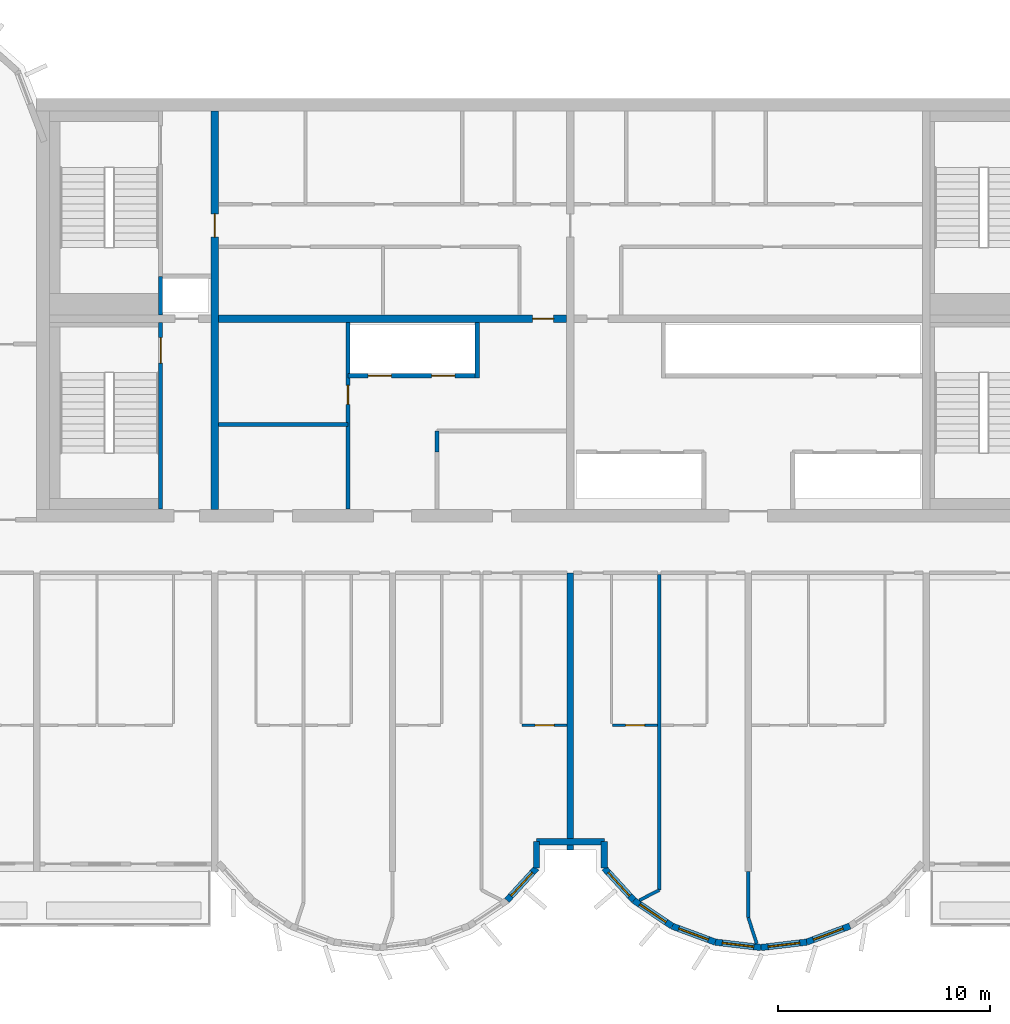
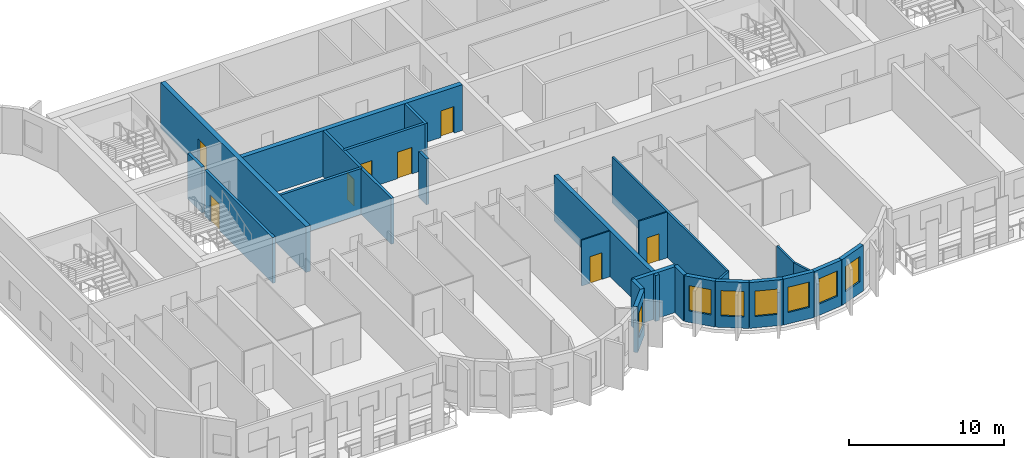
# One storey, part 4 of 11: 26 walls, 8 doors, 7 windows, 15 openings.
"""IFC4 building model written with IfcOpenShell, lengths in metres."""

from ifc_helpers import new_model, si_unit, direction, frame, frame_2d, origin, place, context, subcontext, project, spatial, rectangle, extrude, source, transform, mapped, material, layer, layer_set, type_object, element, fill, save


model = new_model("IFC4")

# Units and contexts
model_context = context("Model", 3, precision=1e-05, world=origin(), true_north=direction((0.0, 1.0)))
body_context = subcontext(model_context, "Body", "Model", "MODEL_VIEW")
ifc_project = project(units=[si_unit("LENGTHUNIT", "METRE"), si_unit("AREAUNIT", "SQUARE_METRE"), si_unit("VOLUMEUNIT", "CUBIC_METRE"), si_unit("PLANEANGLEUNIT", "RADIAN"), si_unit("MASSUNIT", "GRAM", prefix="KILO")], contexts=[model_context])

# Site, building, storey
site_placement = place(None, origin())
site = spatial("IfcSite", under=ifc_project, at=site_placement, CompositionType="ELEMENT")
building_placement = place(site_placement, origin())
building = spatial("IfcBuilding", under=site, at=building_placement, Name="Vanashikhar Sky Hotel", CompositionType="ELEMENT")
storey_placement = place(building_placement, frame((0.0, 0.0, 233.5)))
storey = spatial("IfcBuildingStorey", under=building, at=storey_placement, Name="L56", CompositionType="ELEMENT", Elevation=233.5)

# Wall, opening, door
ifc_material_1 = material(Name="Concrete M60", Category="concrete")
ifc_layer_1 = layer(ifc_material_1, 0.35009765625)
ifc_layer_set_1 = layer_set([ifc_layer_1], Name="RC core inner wall 350 Concrete M60")
wall_type_1 = type_object("IfcWallType", Name="RC core inner wall 350 Concrete M60", PredefinedType="SHEAR", material=ifc_layer_set_1)
shared_shape_1 = source(origin(), body_context, "Body", "SweptSolid", [
    extrude(rectangle(XDim=18.7998046875, YDim=0.35009765625, at=frame_2d((9.39990234375, 0.0))), origin(), (0.0, 0.0, 1.0), 3.6201171875),
])
wall_1_placement = place(storey_placement, frame((33.60009765625, 22.60009765625, 0.0), z_axis=(0.0, 0.0, 1.0), x_axis=(0.0, 1.0, 0.0)))
wall_1 = element("IfcWall", 1, at=wall_1_placement, inside=storey, type_object=wall_type_1, Name="KW-L56-KX1", PredefinedType="SHEAR", context=body_context, shape_type="MappedRepresentation", body=[
    mapped(shared_shape_1, transform((0.0, 0.0, 0.0), scale=1.0)),
])
shared_shape_2 = source(origin(), body_context, "Body", "SweptSolid", [
    extrude(rectangle(XDim=1.10009765625, YDim=2.10009765625, at=frame_2d((0.550048828125, 1.050048828125))), frame((0.0, 0.18505859375, 0.0), z_axis=(0.0, -1.0, 0.0), x_axis=(1.0, 0.0, 0.0)), (0.0, 0.0, 1.0), 0.3701171875),
])
opening_1_placement = place(wall_1_placement, frame((12.85009765625, 0.0, 0.0)))
opening_1 = element("IfcOpeningElement", 2, at=opening_1_placement, cuts=wall_1, Name="Opening DC-4-C", PredefinedType="OPENING", context=body_context, shape_type="MappedRepresentation", body=[
    mapped(shared_shape_2, transform((0.0, 0.0, 0.0), scale=1.0)),
])
ifc_material_2 = material(Name="Steel", Category="steel")
door_type_1 = type_object("IfcDoorType", Name="Service door 1100 FD60", OperationType="NOTDEFINED", PredefinedType="DOOR", material=ifc_material_2)
shared_shape_3 = source(origin(), body_context, "Body", "SweptSolid", [
    extrude(rectangle(XDim=1.10009765625, YDim=2.10009765625, at=frame_2d((0.550048828125, 1.050048828125))), frame((0.0, 0.02490234375, 0.0), z_axis=(0.0, -1.0, 0.0), x_axis=(1.0, 0.0, 0.0)), (0.0, 0.0, 1.0), 0.050048828125),
])
door_1_placement = place(opening_1_placement, origin())
door_1 = element("IfcDoor", 3, at=door_1_placement, inside=storey, type_object=door_type_1, Name="Service door 1100 FD60", OperationType="SINGLE_SWING_RIGHT", OverallHeight=2.10009765625, OverallWidth=1.10009765625, PredefinedType="DOOR", context=body_context, shape_type="MappedRepresentation", body=[
    mapped(shared_shape_3, transform((0.0, 0.0, 0.0), scale=1.0)),
])
fill(opening_1, door_1)

shared_shape_4 = source(origin(), body_context, "Body", "SweptSolid", [
    extrude(rectangle(XDim=16.4501953125, YDim=0.35009765625, at=frame_2d((8.22509765625, 0.0))), origin(), (0.0, 0.0, 1.0), 3.6201171875),
])
wall_2_placement = place(storey_placement, frame((33.77490234375, 31.60009765625, 0.0), z_axis=(0.0, 0.0, 1.0), x_axis=(1.0, 0.0, 0.0)))
wall_2 = element("IfcWall", 4, at=wall_2_placement, inside=storey, type_object=wall_type_1, Name="KW-L56-KY2", PredefinedType="SHEAR", context=body_context, shape_type="MappedRepresentation", body=[
    mapped(shared_shape_4, transform((0.0, 0.0, 0.0), scale=1.0)),
])
shared_shape_5 = source(origin(), body_context, "Body", "SweptSolid", [
    extrude(rectangle(XDim=1.0, YDim=2.10009765625, at=frame_2d((0.5, 1.050048828125))), frame((0.0, 0.18505859375, 0.0), z_axis=(0.0, -1.0, 0.0), x_axis=(1.0, 0.0, 0.0)), (0.0, 0.0, 1.0), 0.3701171875),
])
opening_2_placement = place(wall_2_placement, frame((14.8369140625, 0.0, 0.0)))
opening_2 = element("IfcOpeningElement", 5, at=opening_2_placement, cuts=wall_2, Name="Opening DC-4", PredefinedType="OPENING", context=body_context, shape_type="MappedRepresentation", body=[
    mapped(shared_shape_5, transform((0.0, 0.0, 0.0), scale=1.0)),
])
door_type_2 = type_object("IfcDoorType", Name="Service door 1000 FD60", OperationType="NOTDEFINED", PredefinedType="DOOR", material=ifc_material_2)
shared_shape_6 = source(origin(), body_context, "Body", "SweptSolid", [
    extrude(rectangle(XDim=1.0, YDim=2.10009765625, at=frame_2d((0.5, 1.050048828125))), frame((0.0, 0.02490234375, 0.0), z_axis=(0.0, -1.0, 0.0), x_axis=(1.0, 0.0, 0.0)), (0.0, 0.0, 1.0), 0.050048828125),
])
door_2_placement = place(opening_2_placement, origin())
door_2 = element("IfcDoor", 6, at=door_2_placement, inside=storey, type_object=door_type_2, Name="Service door 1000 FD60", OperationType="SINGLE_SWING_LEFT", OverallHeight=2.10009765625, OverallWidth=1.0, PredefinedType="DOOR", context=body_context, shape_type="MappedRepresentation", body=[
    mapped(shared_shape_6, transform((0.0, 0.0, 0.0), scale=1.0)),
])
fill(opening_2, door_2)

# Wall
ifc_layer_2 = layer(ifc_material_1, 0.300048828125)
ifc_layer_set_2 = layer_set([ifc_layer_2], Name="RC shear wall 300 Concrete M60")
wall_type_2 = type_object("IfcWallType", Name="RC shear wall 300 Concrete M60", PredefinedType="SHEAR", material=ifc_layer_set_2)
shared_shape_7 = source(origin(), body_context, "Body", "SweptSolid", [
    extrude(rectangle(XDim=13.10009765625, YDim=0.300048828125, at=frame_2d((6.550048828125, 0.0))), origin(), (0.0, 0.0, 1.0), 3.6201171875),
])
wall_3_placement = place(storey_placement, frame((50.39990234375, 6.5, 0.0), z_axis=(0.0, 0.0, 1.0), x_axis=(0.0, 1.0, 0.0)))
element("IfcWall", 7, at=wall_3_placement, inside=storey, type_object=wall_type_2, Name="CW-L56-XW07-1", PredefinedType="SHEAR", context=body_context, shape_type="MappedRepresentation", body=[
    mapped(shared_shape_7, transform((0.0, 0.0, 0.0), scale=1.0)),
])

# Wall, opening, window
ifc_material_3 = material(Name="Concrete M50", Category="concrete")
ifc_layer_3 = layer(ifc_material_3, 0.300048828125)
ifc_layer_set_3 = layer_set([ifc_layer_3], Name="Lobe wall 300")
wall_type_3 = type_object("IfcWallType", Name="Lobe wall 300", PredefinedType="SOLIDWALL", material=ifc_layer_set_3)
shared_shape_8 = source(origin(), body_context, "Body", "SweptSolid", [
    extrude(rectangle(XDim=2.17578125, YDim=0.300048828125, at=frame_2d((1.087890625, 0.0))), origin(), (0.0, 0.0, 1.0), 3.6201171875),
])
wall_4_placement = place(storey_placement, frame((53.395751953125, 4.13134765625, 0.0), z_axis=(0.0, 0.0, 1.0), x_axis=(0.829590746428, -0.558371913192, 0.0)))
wall_4 = element("IfcWall", 8, at=wall_4_placement, inside=storey, type_object=wall_type_3, Name="Lobe wall", PredefinedType="SOLIDWALL", context=body_context, shape_type="MappedRepresentation", body=[
    mapped(shared_shape_8, transform((0.0, 0.0, 0.0), scale=1.0)),
])
shared_shape_9 = source(origin(), body_context, "Body", "SweptSolid", [
    extrude(rectangle(XDim=1.5, YDim=2.0, at=frame_2d((0.75, 1.0))), frame((0.0, 0.16015625, 0.0), z_axis=(0.0, -1.0, 0.0), x_axis=(1.0, 0.0, 0.0)), (0.0, 0.0, 1.0), 0.320068359375),
])
opening_3_placement = place(wall_4_placement, frame((0.337890625, 0.0, 0.89990234375)))
opening_3 = element("IfcOpeningElement", 9, at=opening_3_placement, cuts=wall_4, Name="Opening WN-2", PredefinedType="OPENING", context=body_context, shape_type="MappedRepresentation", body=[
    mapped(shared_shape_9, transform((0.0, 0.0, 0.0), scale=1.0)),
])
ifc_material_4 = material(Name="Glass", Category="glass")
window_type = type_object("IfcWindowType", Name="Lobe window 1500 x 2000", PartitioningType="SINGLE_PANEL", PredefinedType="WINDOW", material=ifc_material_4)
shared_shape_10 = source(origin(), body_context, "Body", "SweptSolid", [
    extrude(rectangle(XDim=1.5, YDim=2.0, at=frame_2d((0.75, 1.0))), frame((0.0, 0.030029296875, 0.0), z_axis=(0.0, -1.0, 0.0), x_axis=(1.0, 0.0, 0.0)), (0.0, 0.0, 1.0), 0.06005859375),
])
window_1_placement = place(opening_3_placement, origin())
window_1 = element("IfcWindow", 10, at=window_1_placement, inside=storey, type_object=window_type, Name="Window WN-2", OverallHeight=2.0, OverallWidth=1.5, PartitioningType="SINGLE_PANEL", PredefinedType="WINDOW", context=body_context, shape_type="MappedRepresentation", body=[
    mapped(shared_shape_10, transform((0.0, 0.0, 0.0), scale=1.0)),
])
fill(opening_3, window_1)

wall_5_placement = place(storey_placement, frame((55.20068359375, 2.91650390625, 0.0), z_axis=(0.0, 0.0, 1.0), x_axis=(0.93754555999, -0.347862505801, 0.0)))
wall_5 = element("IfcWall", 11, at=wall_5_placement, inside=storey, type_object=wall_type_3, Name="Lobe wall", PredefinedType="SOLIDWALL", context=body_context, shape_type="MappedRepresentation", body=[
    mapped(shared_shape_8, transform((0.0, 0.0, 0.0), scale=1.0)),
])
opening_4_placement = place(wall_5_placement, frame((0.337890625, 0.0, 0.89990234375)))
opening_4 = element("IfcOpeningElement", 12, at=opening_4_placement, cuts=wall_5, Name="Opening WN-2", PredefinedType="OPENING", context=body_context, shape_type="MappedRepresentation", body=[
    mapped(shared_shape_9, transform((0.0, 0.0, 0.0), scale=1.0)),
])
window_2_placement = place(opening_4_placement, origin())
window_2 = element("IfcWindow", 13, at=window_2_placement, inside=storey, type_object=window_type, Name="Window WN-2", OverallHeight=2.0, OverallWidth=1.5, PartitioningType="SINGLE_PANEL", PredefinedType="WINDOW", context=body_context, shape_type="MappedRepresentation", body=[
    mapped(shared_shape_10, transform((0.0, 0.0, 0.0), scale=1.0)),
])
fill(opening_4, window_2)

shared_shape_11 = source(origin(), body_context, "Body", "SweptSolid", [
    extrude(rectangle(XDim=2.174560546875, YDim=0.300048828125, at=frame_2d((1.08740234375, 0.0))), origin(), (0.0, 0.0, 1.0), 3.6201171875),
])
wall_6_placement = place(storey_placement, frame((57.240478515625, 2.15966796875, 0.0), z_axis=(0.0, 0.0, 1.0), x_axis=(0.993001132889, -0.118104826659, 0.0)))
wall_6 = element("IfcWall", 14, at=wall_6_placement, inside=storey, type_object=wall_type_3, Name="Lobe wall", PredefinedType="SOLIDWALL", context=body_context, shape_type="MappedRepresentation", body=[
    mapped(shared_shape_11, transform((0.0, 0.0, 0.0), scale=1.0)),
])
opening_5_placement = place(wall_6_placement, frame((0.33740234375, 0.0, 0.89990234375)))
opening_5 = element("IfcOpeningElement", 15, at=opening_5_placement, cuts=wall_6, Name="Opening WN-2", PredefinedType="OPENING", context=body_context, shape_type="MappedRepresentation", body=[
    mapped(shared_shape_9, transform((0.0, 0.0, 0.0), scale=1.0)),
])
window_3_placement = place(opening_5_placement, origin())
window_3 = element("IfcWindow", 16, at=window_3_placement, inside=storey, type_object=window_type, Name="Window WN-2", OverallHeight=2.0, OverallWidth=1.5, PartitioningType="SINGLE_PANEL", PredefinedType="WINDOW", context=body_context, shape_type="MappedRepresentation", body=[
    mapped(shared_shape_10, transform((0.0, 0.0, 0.0), scale=1.0)),
])
fill(opening_5, window_3)

shared_shape_12 = source(origin(), body_context, "Body", "SweptSolid", [
    extrude(rectangle(XDim=2.1748046875, YDim=0.300048828125, at=frame_2d((1.08740234375, 0.0))), origin(), (0.0, 0.0, 1.0), 3.6201171875),
])
wall_7_placement = place(storey_placement, frame((59.39990234375, 1.90283203125, 0.0), z_axis=(0.0, 0.0, 1.0), x_axis=(0.993002698611, 0.118091661648, 0.0)))
wall_7 = element("IfcWall", 17, at=wall_7_placement, inside=storey, type_object=wall_type_3, Name="Lobe wall", PredefinedType="SOLIDWALL", context=body_context, shape_type="MappedRepresentation", body=[
    mapped(shared_shape_12, transform((0.0, 0.0, 0.0), scale=1.0)),
])
opening_6_placement = place(wall_7_placement, frame((0.33740234375, 0.0, 0.89990234375)))
opening_6 = element("IfcOpeningElement", 18, at=opening_6_placement, cuts=wall_7, Name="Opening WN-2", PredefinedType="OPENING", context=body_context, shape_type="MappedRepresentation", body=[
    mapped(shared_shape_9, transform((0.0, 0.0, 0.0), scale=1.0)),
])
window_4_placement = place(opening_6_placement, origin())
window_4 = element("IfcWindow", 19, at=window_4_placement, inside=storey, type_object=window_type, Name="Window WN-2", OverallHeight=2.0, OverallWidth=1.5, PartitioningType="SINGLE_PANEL", PredefinedType="WINDOW", context=body_context, shape_type="MappedRepresentation", body=[
    mapped(shared_shape_10, transform((0.0, 0.0, 0.0), scale=1.0)),
])
fill(opening_6, window_4)

shared_shape_13 = source(origin(), body_context, "Body", "SweptSolid", [
    extrude(rectangle(XDim=2.175537109375, YDim=0.300048828125, at=frame_2d((1.087890625, 0.0))), origin(), (0.0, 0.0, 1.0), 3.6201171875),
])
wall_8_placement = place(storey_placement, frame((61.5595703125, 2.15966796875, 0.0), z_axis=(0.0, 0.0, 1.0), x_axis=(0.937531979054, 0.347899106424, 0.0)))
wall_8 = element("IfcWall", 20, at=wall_8_placement, inside=storey, type_object=wall_type_3, Name="Lobe wall", PredefinedType="SOLIDWALL", context=body_context, shape_type="MappedRepresentation", body=[
    mapped(shared_shape_13, transform((0.0, 0.0, 0.0), scale=1.0)),
])
opening_7_placement = place(wall_8_placement, frame((0.337890625, 0.0, 0.89990234375)))
opening_7 = element("IfcOpeningElement", 21, at=opening_7_placement, cuts=wall_8, Name="Opening WN-2", PredefinedType="OPENING", context=body_context, shape_type="MappedRepresentation", body=[
    mapped(shared_shape_9, transform((0.0, 0.0, 0.0), scale=1.0)),
])
window_5_placement = place(opening_7_placement, origin())
window_5 = element("IfcWindow", 22, at=window_5_placement, inside=storey, type_object=window_type, Name="Window WN-2", OverallHeight=2.0, OverallWidth=1.5, PartitioningType="SINGLE_PANEL", PredefinedType="WINDOW", context=body_context, shape_type="MappedRepresentation", body=[
    mapped(shared_shape_10, transform((0.0, 0.0, 0.0), scale=1.0)),
])
fill(opening_7, window_5)

shared_shape_14 = source(origin(), body_context, "Body", "SweptSolid", [
    extrude(rectangle(XDim=2.066650390625, YDim=0.300048828125, at=frame_2d((1.033203125, 0.0))), origin(), (0.0, 0.0, 1.0), 3.6201171875),
])
wall_9_placement = place(storey_placement, frame((47.404296875, 4.13134765625, 0.0), z_axis=(0.0, 0.0, 1.0), x_axis=(0.675355439877, 0.737492393065, 0.0)))
wall_9 = element("IfcWall", 23, at=wall_9_placement, inside=storey, type_object=wall_type_3, Name="Lobe wall", PredefinedType="SOLIDWALL", context=body_context, shape_type="MappedRepresentation", body=[
    mapped(shared_shape_14, transform((0.0, 0.0, 0.0), scale=1.0)),
])
opening_8_placement = place(wall_9_placement, frame((0.283447265625, 0.0, 0.89990234375)))
opening_8 = element("IfcOpeningElement", 24, at=opening_8_placement, cuts=wall_9, Name="Opening WN-2", PredefinedType="OPENING", context=body_context, shape_type="MappedRepresentation", body=[
    mapped(shared_shape_9, transform((0.0, 0.0, 0.0), scale=1.0)),
])
window_6_placement = place(opening_8_placement, origin())
window_6 = element("IfcWindow", 25, at=window_6_placement, inside=storey, type_object=window_type, Name="Window WN-2", OverallHeight=2.0, OverallWidth=1.5, PartitioningType="SINGLE_PANEL", PredefinedType="WINDOW", context=body_context, shape_type="MappedRepresentation", body=[
    mapped(shared_shape_10, transform((0.0, 0.0, 0.0), scale=1.0)),
])
fill(opening_8, window_6)

wall_10_placement = place(storey_placement, frame((52.0, 5.655517578125, 0.0), z_axis=(0.0, 0.0, 1.0), x_axis=(0.675355439877, -0.737492393065, 0.0)))
wall_10 = element("IfcWall", 26, at=wall_10_placement, inside=storey, type_object=wall_type_3, Name="Lobe wall", PredefinedType="SOLIDWALL", context=body_context, shape_type="MappedRepresentation", body=[
    mapped(shared_shape_14, transform((0.0, 0.0, 0.0), scale=1.0)),
])
opening_9_placement = place(wall_10_placement, frame((0.283447265625, 0.0, 0.89990234375)))
opening_9 = element("IfcOpeningElement", 27, at=opening_9_placement, cuts=wall_10, Name="Opening WN-2", PredefinedType="OPENING", context=body_context, shape_type="MappedRepresentation", body=[
    mapped(shared_shape_9, transform((0.0, 0.0, 0.0), scale=1.0)),
])
window_7_placement = place(opening_9_placement, origin())
window_7 = element("IfcWindow", 28, at=window_7_placement, inside=storey, type_object=window_type, Name="Window WN-2", OverallHeight=2.0, OverallWidth=1.5, PartitioningType="SINGLE_PANEL", PredefinedType="WINDOW", context=body_context, shape_type="MappedRepresentation", body=[
    mapped(shared_shape_10, transform((0.0, 0.0, 0.0), scale=1.0)),
])
fill(opening_9, window_7)

# Walls
shared_shape_15 = source(origin(), body_context, "Body", "SweptSolid", [
    extrude(rectangle(XDim=1.244384765625, YDim=0.300048828125, at=frame_2d((0.6220703125, 0.0))), origin(), (0.0, 0.0, 1.0), 3.6201171875),
])
for number, where, z_axis, x_axis, name in (
    (29, (48.800048828125, 5.655517578125, 0.0), (0.0, 0.0, 1.0), (0.0, 1.0, 0.0), "Groove wall"),
    (30, (52.0, 6.89990234375, 0.0), (0.0, 0.0, 1.0), (0.0, -1.0, 0.0), "Groove wall"),
):
    element("IfcWall", number, at=place(storey_placement, frame(where, z_axis=z_axis, x_axis=x_axis)), inside=storey, type_object=wall_type_3, Name=name, PredefinedType="SOLIDWALL", context=body_context, shape_type="MappedRepresentation", body=[
        mapped(shared_shape_15, transform((0.0, 0.0, 0.0), scale=1.0)),
    ])
shared_shape_16 = source(origin(), body_context, "Body", "SweptSolid", [
    extrude(rectangle(XDim=3.199951171875, YDim=0.300048828125, at=frame_2d((1.60009765625, 0.0))), origin(), (0.0, 0.0, 1.0), 3.6201171875),
])
wall_11_placement = place(storey_placement, frame((48.800048828125, 6.89990234375, 0.0), z_axis=(0.0, 0.0, 1.0), x_axis=(1.0, 0.0, 0.0)))
element("IfcWall", 31, at=wall_11_placement, inside=storey, type_object=wall_type_3, Name="Groove wall", PredefinedType="SOLIDWALL", context=body_context, shape_type="MappedRepresentation", body=[
    mapped(shared_shape_16, transform((0.0, 0.0, 0.0), scale=1.0)),
])

# Wall, openings, doors
ifc_material_5 = material(Name="Concrete M40", Category="concrete")
ifc_layer_4 = layer(ifc_material_5, 0.199951171875)
ifc_layer_set_4 = layer_set([ifc_layer_4], Name="Shaft wall 200")
wall_type_4 = type_object("IfcWallType", Name="Shaft wall 200", PredefinedType="SOLIDWALL", material=ifc_layer_set_4)
shared_shape_17 = source(origin(), body_context, "Body", "SweptSolid", [
    extrude(rectangle(XDim=6.0, YDim=0.199951171875, at=frame_2d((3.0, 0.0))), origin(), (0.0, 0.0, 1.0), 3.6201171875),
])
wall_12_placement = place(storey_placement, frame((39.89990234375, 28.89990234375, 0.0), z_axis=(0.0, 0.0, 1.0), x_axis=(1.0, 0.0, 0.0)))
wall_12 = element("IfcWall", 32, at=wall_12_placement, inside=storey, type_object=wall_type_4, Name="Shaft wall 200", PredefinedType="SOLIDWALL", context=body_context, shape_type="MappedRepresentation", body=[
    mapped(shared_shape_17, transform((0.0, 0.0, 0.0), scale=1.0)),
])
shared_shape_18 = source(origin(), body_context, "Body", "SweptSolid", [
    extrude(rectangle(XDim=1.10009765625, YDim=2.10009765625, at=frame_2d((0.550048828125, 1.050048828125))), frame((0.0, 0.10986328125, 0.0), z_axis=(0.0, -1.0, 0.0), x_axis=(1.0, 0.0, 0.0)), (0.0, 0.0, 1.0), 0.219970703125),
])
opening_10_placement = place(wall_12_placement, frame((0.949951171875, 0.0, 0.0)))
opening_10 = element("IfcOpeningElement", 33, at=opening_10_placement, cuts=wall_12, Name="Opening LD", PredefinedType="OPENING", context=body_context, shape_type="MappedRepresentation", body=[
    mapped(shared_shape_18, transform((0.0, 0.0, 0.0), scale=1.0)),
])
opening_11_placement = place(wall_12_placement, frame((3.949951171875, 0.0, 0.0)))
opening_11 = element("IfcOpeningElement", 34, at=opening_11_placement, cuts=wall_12, Name="Opening LD", PredefinedType="OPENING", context=body_context, shape_type="MappedRepresentation", body=[
    mapped(shared_shape_18, transform((0.0, 0.0, 0.0), scale=1.0)),
])
ifc_material_6 = material(Name="Stainless steel", Category="steel")
door_type_3 = type_object("IfcDoorType", Name="Lift landing door 1100", OperationType="NOTDEFINED", PredefinedType="DOOR", material=ifc_material_6)
door_3_placement = place(opening_10_placement, origin())
door_3 = element("IfcDoor", 35, at=door_3_placement, inside=storey, type_object=door_type_3, Name="Lift landing door 1100", OperationType="SLIDING_TO_LEFT", OverallHeight=2.10009765625, OverallWidth=1.10009765625, PredefinedType="DOOR", context=body_context, shape_type="MappedRepresentation", body=[
    mapped(shared_shape_3, transform((0.0, 0.0, 0.0), scale=1.0)),
])
fill(opening_10, door_3)
door_4_placement = place(opening_11_placement, origin())
door_4 = element("IfcDoor", 36, at=door_4_placement, inside=storey, type_object=door_type_3, Name="Lift landing door 1100", OperationType="SLIDING_TO_RIGHT", OverallHeight=2.10009765625, OverallWidth=1.10009765625, PredefinedType="DOOR", context=body_context, shape_type="MappedRepresentation", body=[
    mapped(shared_shape_3, transform((0.0, 0.0, 0.0), scale=1.0)),
])
fill(opening_11, door_4)

# Wall, opening, door
ifc_material_7 = material(Name="Gypsum board partition")
ifc_layer_5 = layer(ifc_material_7, 0.14990234375)
ifc_layer_set_5 = layer_set([ifc_layer_5], Name="Service partition 150")
wall_type_5 = type_object("IfcWallType", Name="Service partition 150", PredefinedType="PARTITIONING", material=ifc_layer_set_5)
shared_shape_19 = source(origin(), body_context, "Body", "SweptSolid", [
    extrude(rectangle(XDim=8.824951171875, YDim=0.199951171875, at=frame_2d((4.41259765625, 0.0))), origin(), (0.0, 0.0, 1.0), 3.6201171875),
])
wall_13_placement = place(storey_placement, frame((39.89990234375, 22.60009765625, 0.0), z_axis=(0.0, 0.0, 1.0), x_axis=(0.0, 1.0, 0.0)))
wall_13 = element("IfcWall", 37, at=wall_13_placement, inside=storey, type_object=wall_type_5, Name="Service partition 150", PredefinedType="PARTITIONING", context=body_context, shape_type="MappedRepresentation", body=[
    mapped(shared_shape_19, transform((0.0, 0.0, 0.0), scale=1.0)),
])
shared_shape_20 = source(origin(), body_context, "Body", "SweptSolid", [
    extrude(rectangle(XDim=0.89990234375, YDim=2.10009765625, at=frame_2d((0.449951171875, 1.050048828125))), frame((0.0, 0.10986328125, 0.0), z_axis=(0.0, -1.0, 0.0), x_axis=(1.0, 0.0, 0.0)), (0.0, 0.0, 1.0), 0.219970703125),
])
opening_12_placement = place(wall_13_placement, frame((4.949951171875, 0.0, 0.0)))
opening_12 = element("IfcOpeningElement", 38, at=opening_12_placement, cuts=wall_13, Name="Opening DC-4-A", PredefinedType="OPENING", context=body_context, shape_type="MappedRepresentation", body=[
    mapped(shared_shape_20, transform((0.0, 0.0, 0.0), scale=1.0)),
])
door_type_4 = type_object("IfcDoorType", Name="Service door 900 FD60", OperationType="NOTDEFINED", PredefinedType="DOOR", material=ifc_material_2)
shared_shape_21 = source(origin(), body_context, "Body", "SweptSolid", [
    extrude(rectangle(XDim=0.89990234375, YDim=2.10009765625, at=frame_2d((0.449951171875, 1.050048828125))), frame((0.0, 0.02490234375, 0.0), z_axis=(0.0, -1.0, 0.0), x_axis=(1.0, 0.0, 0.0)), (0.0, 0.0, 1.0), 0.050048828125),
])
door_5_placement = place(opening_12_placement, origin())
door_5 = element("IfcDoor", 39, at=door_5_placement, inside=storey, type_object=door_type_4, Name="Service door 900 FD60", OperationType="SINGLE_SWING_LEFT", OverallHeight=2.10009765625, OverallWidth=0.89990234375, PredefinedType="DOOR", context=body_context, shape_type="MappedRepresentation", body=[
    mapped(shared_shape_21, transform((0.0, 0.0, 0.0), scale=1.0)),
])
fill(opening_12, door_5)

# Walls
shared_shape_22 = source(origin(), body_context, "Body", "SweptSolid", [
    extrude(rectangle(XDim=2.625, YDim=0.199951171875, at=frame_2d((1.3125, 0.0))), origin(), (0.0, 0.0, 1.0), 3.6201171875),
])
wall_14_placement = place(storey_placement, frame((46.0, 28.800048828125, 0.0), z_axis=(0.0, 0.0, 1.0), x_axis=(0.0, 1.0, 0.0)))
element("IfcWall", 40, at=wall_14_placement, inside=storey, type_object=wall_type_4, Name="Shaft wall 200", PredefinedType="SOLIDWALL", context=body_context, shape_type="MappedRepresentation", body=[
    mapped(shared_shape_22, transform((0.0, 0.0, 0.0), scale=1.0)),
])
shared_shape_23 = source(origin(), body_context, "Body", "SweptSolid", [
    extrude(rectangle(XDim=6.125, YDim=0.199951171875, at=frame_2d((3.0625, 0.0))), origin(), (0.0, 0.0, 1.0), 3.6201171875),
])
wall_15_placement = place(storey_placement, frame((33.77490234375, 26.60009765625, 0.0), z_axis=(0.0, 0.0, 1.0), x_axis=(1.0, 0.0, 0.0)))
element("IfcWall", 41, at=wall_15_placement, inside=storey, type_object=wall_type_5, Name="Service partition 150", PredefinedType="PARTITIONING", context=body_context, shape_type="MappedRepresentation", body=[
    mapped(shared_shape_23, transform((0.0, 0.0, 0.0), scale=1.0)),
])
shared_shape_24 = source(origin(), body_context, "Body", "SweptSolid", [
    extrude(rectangle(XDim=1.0, YDim=0.199951171875, at=frame_2d((0.5, 0.0))), origin(), (0.0, 0.0, 1.0), 3.6201171875),
])
wall_16_placement = place(storey_placement, frame((44.10009765625, 25.300048828125, 0.0), z_axis=(0.0, 0.0, 1.0), x_axis=(0.0, 1.0, 0.0)))
element("IfcWall", 42, at=wall_16_placement, inside=storey, type_object=wall_type_5, Name="Service partition 150", PredefinedType="PARTITIONING", context=body_context, shape_type="MappedRepresentation", body=[
    mapped(shared_shape_24, transform((0.0, 0.0, 0.0), scale=1.0)),
])

# Wall, opening, door
ifc_layer_6 = layer(ifc_material_3, 0.199951171875)
ifc_layer_set_6 = layer_set([ifc_layer_6], Name="Stair wall 200")
wall_type_6 = type_object("IfcWallType", Name="Stair wall 200", PredefinedType="SOLIDWALL", material=ifc_layer_set_6)
shared_shape_25 = source(origin(), body_context, "Body", "SweptSolid", [
    extrude(rectangle(XDim=8.824951171875, YDim=0.199951171875, at=frame_2d((4.41259765625, 0.0))), origin(), (0.0, 0.0, 1.0), 3.6201171875),
])
wall_17_placement = place(storey_placement, frame((31.050048828125, 22.60009765625, 0.0), z_axis=(0.0, 0.0, 1.0), x_axis=(0.0, 1.0, 0.0)))
wall_17 = element("IfcWall", 43, at=wall_17_placement, inside=storey, type_object=wall_type_6, Name="Stair wall 200", PredefinedType="SOLIDWALL", context=body_context, shape_type="MappedRepresentation", body=[
    mapped(shared_shape_25, transform((0.0, 0.0, 0.0), scale=1.0)),
])
shared_shape_26 = source(origin(), body_context, "Body", "SweptSolid", [
    extrude(rectangle(XDim=1.199951171875, YDim=2.10009765625, at=frame_2d((0.60009765625, 1.050048828125))), frame((0.0, 0.10986328125, 0.0), z_axis=(0.0, -1.0, 0.0), x_axis=(1.0, 0.0, 0.0)), (0.0, 0.0, 1.0), 0.219970703125),
])
opening_13_placement = place(wall_17_placement, frame((6.89990234375, 0.0, 0.0)))
opening_13 = element("IfcOpeningElement", 44, at=opening_13_placement, cuts=wall_17, Name="Opening DC-1", PredefinedType="OPENING", context=body_context, shape_type="MappedRepresentation", body=[
    mapped(shared_shape_26, transform((0.0, 0.0, 0.0), scale=1.0)),
])
door_type_5 = type_object("IfcDoorType", Name="Stair door 1200 FD120", OperationType="NOTDEFINED", PredefinedType="DOOR", material=ifc_material_2)
shared_shape_27 = source(origin(), body_context, "Body", "SweptSolid", [
    extrude(rectangle(XDim=1.199951171875, YDim=2.10009765625, at=frame_2d((0.60009765625, 1.050048828125))), frame((0.0, 0.02490234375, 0.0), z_axis=(0.0, -1.0, 0.0), x_axis=(1.0, 0.0, 0.0)), (0.0, 0.0, 1.0), 0.050048828125),
])
door_6_placement = place(opening_13_placement, origin())
door_6 = element("IfcDoor", 45, at=door_6_placement, inside=storey, type_object=door_type_5, Name="Stair door 1200 FD120", OperationType="SINGLE_SWING_RIGHT", OverallHeight=2.10009765625, OverallWidth=1.199951171875, PredefinedType="DOOR", context=body_context, shape_type="MappedRepresentation", body=[
    mapped(shared_shape_27, transform((0.0, 0.0, 0.0), scale=1.0)),
])
fill(opening_13, door_6)

# Wall
shared_shape_28 = source(origin(), body_context, "Body", "SweptSolid", [
    extrude(rectangle(XDim=1.8251953125, YDim=0.199951171875, at=frame_2d((0.91259765625, 0.0))), origin(), (0.0, 0.0, 1.0), 3.6201171875),
])
wall_18_placement = place(storey_placement, frame((31.050048828125, 31.77490234375, 0.0), z_axis=(0.0, 0.0, 1.0), x_axis=(0.0, 1.0, 0.0)))
element("IfcWall", 46, at=wall_18_placement, inside=storey, type_object=wall_type_4, Name="Shaft wall 200", PredefinedType="SOLIDWALL", context=body_context, shape_type="MappedRepresentation", body=[
    mapped(shared_shape_28, transform((0.0, 0.0, 0.0), scale=1.0)),
])

# Wall, opening, door
ifc_material_8 = material(Name="Gypsum plasterboard partition")
ifc_layer_7 = layer(ifc_material_8, 0.10009765625)
ifc_layer_set_7 = layer_set([ifc_layer_7], Name="Wet room partition 100")
wall_type_7 = type_object("IfcWallType", Name="Wet room partition 100", PredefinedType="PARTITIONING", material=ifc_layer_set_7)
shared_shape_29 = source(origin(), body_context, "Body", "SweptSolid", [
    extrude(rectangle(XDim=2.125, YDim=0.10009765625, at=frame_2d((1.0625, 0.0))), origin(), (0.0, 0.0, 1.0), 3.6201171875),
])
wall_19_placement = place(storey_placement, frame((48.125, 12.39990234375, 0.0), z_axis=(0.0, 0.0, 1.0), x_axis=(1.0, 0.0, 0.0)))
wall_19 = element("IfcWall", 47, at=wall_19_placement, inside=storey, type_object=wall_type_7, Name="W-L56-PW024", PredefinedType="PARTITIONING", context=body_context, shape_type="MappedRepresentation", body=[
    mapped(shared_shape_29, transform((0.0, 0.0, 0.0), scale=1.0)),
])
shared_shape_30 = source(origin(), body_context, "Body", "SweptSolid", [
    extrude(rectangle(XDim=0.89990234375, YDim=2.10009765625, at=frame_2d((0.449951171875, 1.050048828125))), frame((0.0, 0.06005859375, 0.0), z_axis=(0.0, -1.0, 0.0), x_axis=(1.0, 0.0, 0.0)), (0.0, 0.0, 1.0), 0.1201171875),
])
opening_14_placement = place(wall_19_placement, frame((0.612060546875, 0.0, 0.0)))
opening_14 = element("IfcOpeningElement", 48, at=opening_14_placement, cuts=wall_19, Name="Opening D-02", PredefinedType="OPENING", context=body_context, shape_type="MappedRepresentation", body=[
    mapped(shared_shape_30, transform((0.0, 0.0, 0.0), scale=1.0)),
])
ifc_material_9 = material(Name="Timber door", Category="wood")
door_type_6 = type_object("IfcDoorType", Name="Internal door 900", OperationType="NOTDEFINED", PredefinedType="DOOR", material=ifc_material_9)
door_7_placement = place(opening_14_placement, origin())
door_7 = element("IfcDoor", 49, at=door_7_placement, inside=storey, type_object=door_type_6, Name="D-L56-014", OperationType="SINGLE_SWING_LEFT", OverallHeight=2.10009765625, OverallWidth=0.89990234375, PredefinedType="DOOR", context=body_context, shape_type="MappedRepresentation", body=[
    mapped(shared_shape_21, transform((0.0, 0.0, 0.0), scale=1.0)),
])
fill(opening_14, door_7)

wall_20_placement = place(storey_placement, frame((52.39990234375, 12.39990234375, 0.0), z_axis=(0.0, 0.0, 1.0), x_axis=(1.0, 0.0, 0.0)))
wall_20 = element("IfcWall", 50, at=wall_20_placement, inside=storey, type_object=wall_type_7, Name="W-L56-PW028", PredefinedType="PARTITIONING", context=body_context, shape_type="MappedRepresentation", body=[
    mapped(shared_shape_29, transform((0.0, 0.0, 0.0), scale=1.0)),
])
opening_15_placement = place(wall_20_placement, frame((0.612060546875, 0.0, 0.0)))
opening_15 = element("IfcOpeningElement", 51, at=opening_15_placement, cuts=wall_20, Name="Opening D-02", PredefinedType="OPENING", context=body_context, shape_type="MappedRepresentation", body=[
    mapped(shared_shape_30, transform((0.0, 0.0, 0.0), scale=1.0)),
])
door_8_placement = place(opening_15_placement, origin())
door_8 = element("IfcDoor", 52, at=door_8_placement, inside=storey, type_object=door_type_6, Name="D-L56-016", OperationType="SINGLE_SWING_LEFT", OverallHeight=2.10009765625, OverallWidth=0.89990234375, PredefinedType="DOOR", context=body_context, shape_type="MappedRepresentation", body=[
    mapped(shared_shape_21, transform((0.0, 0.0, 0.0), scale=1.0)),
])
fill(opening_15, door_8)

# Walls
ifc_layer_8 = layer(ifc_material_8, 0.14990234375)
ifc_layer_set_8 = layer_set([ifc_layer_8], Name="Corridor and demising partition 150")
wall_type_8 = type_object("IfcWallType", Name="Corridor and demising partition 150", PredefinedType="PARTITIONING", material=ifc_layer_set_8)
shared_shape_31 = source(origin(), body_context, "Body", "SweptSolid", [
    extrude(rectangle(XDim=14.906005859375, YDim=0.14990234375, at=frame_2d((7.453125, 0.0))), origin(), (0.0, 0.0, 1.0), 3.6201171875),
])
wall_21_placement = place(storey_placement, frame((54.60009765625, 4.618896484375, 0.0), z_axis=(0.0, 0.0, 1.0), x_axis=(0.0, 1.0, 0.0)))
element("IfcWall", 53, at=wall_21_placement, inside=storey, type_object=wall_type_8, Name="W-L56-PW033", PredefinedType="PARTITIONING", context=body_context, shape_type="MappedRepresentation", body=[
    mapped(shared_shape_31, transform((0.0, 0.0, 0.0), scale=1.0)),
])
shared_shape_32 = source(origin(), body_context, "Body", "SweptSolid", [
    extrude(rectangle(XDim=2.177978515625, YDim=0.14990234375, at=frame_2d((1.0888671875, 0.0))), origin(), (0.0, 0.0, 1.0), 3.6201171875),
])
wall_22_placement = place(storey_placement, frame((58.800048828125, 3.322021484375, 0.0), z_axis=(0.0, 0.0, 1.0), x_axis=(0.0, 1.0, 0.0)))
element("IfcWall", 54, at=wall_22_placement, inside=storey, type_object=wall_type_8, Name="W-L56-PW048", PredefinedType="PARTITIONING", context=body_context, shape_type="MappedRepresentation", body=[
    mapped(shared_shape_32, transform((0.0, 0.0, 0.0), scale=1.0)),
])
shared_shape_33 = source(origin(), body_context, "Body", "SweptSolid", [
    extrude(rectangle(XDim=1.057861328125, YDim=0.14990234375, at=frame_2d((0.52880859375, 0.0))), origin(), (0.0, 0.0, 1.0), 3.6201171875),
])
wall_23_placement = place(storey_placement, frame((53.659912109375, 4.134033203125, 0.0), z_axis=(0.0, 0.0, 1.0), x_axis=(0.888772319209, 0.458348955063, 0.0)))
element("IfcWall", 55, at=wall_23_placement, inside=storey, type_object=wall_type_8, Name="W-L56-PW033B0", PredefinedType="PARTITIONING", context=body_context, shape_type="MappedRepresentation", body=[
    mapped(shared_shape_33, transform((0.0, 0.0, 0.0), scale=1.0)),
])
shared_shape_34 = source(origin(), body_context, "Body", "SweptSolid", [
    extrude(rectangle(XDim=1.308349609375, YDim=0.14990234375, at=frame_2d((0.654296875, 0.0))), origin(), (0.0, 0.0, 1.0), 3.6201171875),
])
wall_24_placement = place(storey_placement, frame((59.201904296875, 2.076904296875, 0.0), z_axis=(0.0, 0.0, 1.0), x_axis=(-0.307144529633, 0.951662880392, 0.0)))
element("IfcWall", 56, at=wall_24_placement, inside=storey, type_object=wall_type_8, Name="W-L56-PW048B0", PredefinedType="PARTITIONING", context=body_context, shape_type="MappedRepresentation", body=[
    mapped(shared_shape_34, transform((0.0, 0.0, 0.0), scale=1.0)),
])

save(model, "model.ifc")
